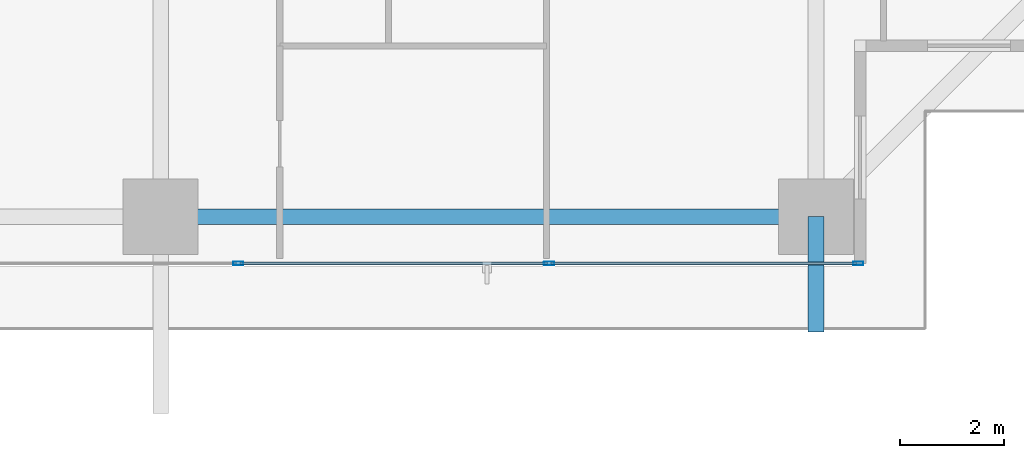
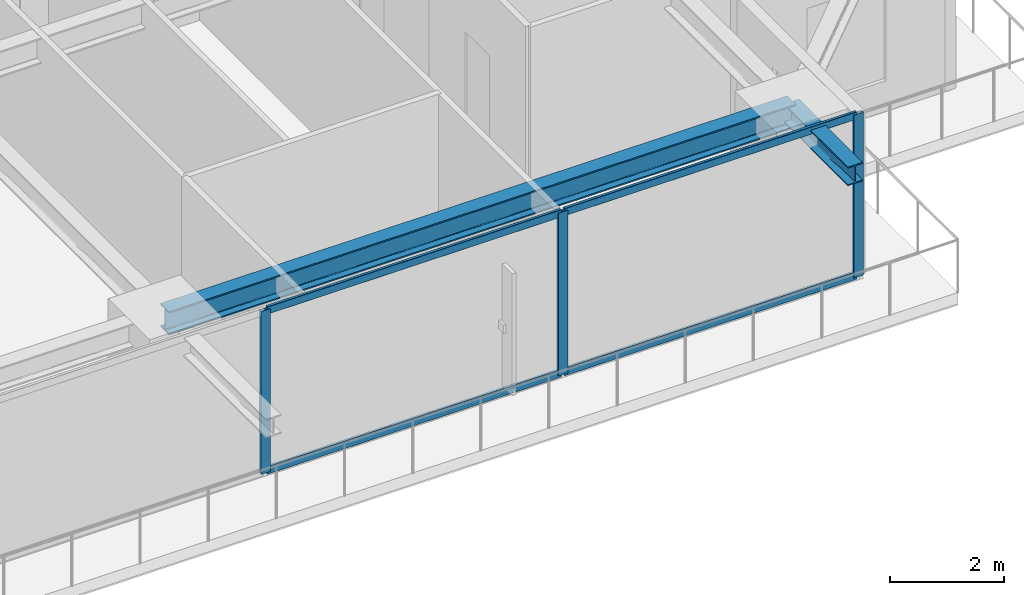
# One storey, part 10 of 36: 7 members, 2 beams, 1 element without a shape of its own.
"""IFC4 building model written with IfcOpenShell, lengths in metres."""

from ifc_helpers import new_model, si_unit, direction, frame, origin, origin_2d, place, context, subcontext, project, spatial, hollow_rectangle, i_section, extrude, source, transform, mapped, material, layer, layer_set, material_profile, profile_set, type_object, element, aggregate, save


model = new_model("IFC4")

# Units and contexts
model_context = context("Model", 3, precision=1e-05, world=origin(), true_north=direction((0.0, 1.0)))
body_context = subcontext(model_context, "Body", "Model", "MODEL_VIEW")
ifc_project = project(units=[si_unit("LENGTHUNIT", "METRE"), si_unit("AREAUNIT", "SQUARE_METRE"), si_unit("VOLUMEUNIT", "CUBIC_METRE"), si_unit("PLANEANGLEUNIT", "RADIAN"), si_unit("MASSUNIT", "GRAM", prefix="KILO")], contexts=[model_context])

# Site, building, storey
site_placement = place(None, origin())
site = spatial("IfcSite", under=ifc_project, at=site_placement, CompositionType="ELEMENT")
building_placement = place(site_placement, origin())
building = spatial("IfcBuilding", under=site, at=building_placement, Name="Serunith Strait Residences", CompositionType="ELEMENT")
storey_placement = place(building_placement, frame((0.0, 0.0, 41.699951171875)))
storey = spatial("IfcBuildingStorey", under=building, at=storey_placement, Name="L09", CompositionType="ELEMENT", Elevation=41.699951171875)

# Beams
ifc_material_1 = material(Name="Steel S355J2", Category="steel")
ifc_material_profile_1 = material_profile(ifc_material_1, i_section(OverallWidth=0.300048828125, OverallDepth=0.5, WebThickness=0.014404296875, FlangeThickness=0.028076171875, FilletRadius=0.027099609375, at=origin_2d()), Name="HEB 500")
ifc_profile_set_1 = profile_set([ifc_material_profile_1], Name="Steel S355J2")
beam_type_1 = type_object("IfcBeamType", Name="BM-HEB500", PredefinedType="BEAM", material=ifc_profile_set_1)
shared_shape_1 = source(origin(), body_context, "Body", "SweptSolid", [
    extrude(i_section(OverallWidth=0.300048828125, OverallDepth=0.5, WebThickness=0.014404296875, FlangeThickness=0.028076171875, FilletRadius=0.027099609375, at=origin_2d()), origin(), (0.0, 0.0, 1.0), 12.650146484375),
])
beam_1_placement = place(storey_placement, frame((36.89990234375, 1.10009765625, 3.237060546875), z_axis=(1.0, 0.0, 0.0), x_axis=(0.0, 1.0, 0.0)))
element("IfcBeam", 1, at=beam_1_placement, inside=storey, type_object=beam_type_1, Name="L09 Perimeter Ring Beam 03", PredefinedType="BEAM", context=body_context, shape_type="MappedRepresentation", body=[
    mapped(shared_shape_1, transform((0.0, 0.0, 0.0), scale=1.0)),
])
ifc_material_profile_2 = material_profile(ifc_material_1, i_section(OverallWidth=0.300048828125, OverallDepth=0.39990234375, WebThickness=0.013427734375, FlangeThickness=0.02392578125, FilletRadius=0.027099609375, at=origin_2d()), Name="HEB 400")
ifc_profile_set_2 = profile_set([ifc_material_profile_2], Name="Steel S355J2")
beam_type_2 = type_object("IfcBeamType", Name="BM-HEB400", PredefinedType="BEAM", material=ifc_profile_set_2)
shared_shape_2 = source(origin(), body_context, "Body", "SweptSolid", [
    extrude(i_section(OverallWidth=0.300048828125, OverallDepth=0.39990234375, WebThickness=0.013427734375, FlangeThickness=0.02392578125, FilletRadius=0.027099609375, at=origin_2d()), origin(), (0.0, 0.0, 1.0), 2.22705078125),
])
beam_2_placement = place(storey_placement, frame((49.550048828125, 1.10009765625, 3.257080078125), z_axis=(0.0, -1.0, 0.0), x_axis=(1.0, 0.0, 0.0)))
element("IfcBeam", 2, at=beam_2_placement, inside=storey, type_object=beam_type_2, Name="L10 Cantilevered Balcony Rib TC-S4", PredefinedType="BEAM", context=body_context, shape_type="MappedRepresentation", body=[
    mapped(shared_shape_2, transform((0.0, 0.0, 0.0), scale=1.0)),
])

# Curtain wall, members
ifc_material_2 = material(Name="Pale-Champagne Anodised Aluminium", Category="aluminium")
ifc_layer = layer(ifc_material_2, 0.199951171875, Name="Pale-Champagne Anodised Aluminium")
ifc_layer_set = layer_set([ifc_layer], Name="Pale-Champagne Anodised Aluminium")
curtain_wall_type = type_object("IfcCurtainWallType", Name="CW-SYS1", PredefinedType="NOTDEFINED", material=ifc_layer_set)
curtain_wall_placement = place(storey_placement, origin())
curtain_wall = element("IfcCurtainWall", 3, at=curtain_wall_placement, inside=storey, type_object=curtain_wall_type, Name="L09 S Unitised Fritted Curtain Wall", PredefinedType="NOTDEFINED")
ifc_material_profile_3 = material_profile(ifc_material_2, hollow_rectangle(XDim=0.070068359375, YDim=0.199951171875, WallThickness=0.00390625, InnerFilletRadius=0.006103515625, OuterFilletRadius=0.010009765625, at=origin_2d()), Name="ALU 200x70x4")
ifc_profile_set_3 = profile_set([ifc_material_profile_3], Name="Pale-Champagne Anodised Aluminium")
member_type_1 = type_object("IfcMemberType", Name="CW-SYS1-MULL", PredefinedType="MULLION", material=ifc_profile_set_3)
shared_shape_3 = source(origin(), body_context, "Body", "SweptSolid", [
    extrude(hollow_rectangle(XDim=0.070068359375, YDim=0.199951171875, WallThickness=0.00390625, InnerFilletRadius=0.006103515625, OuterFilletRadius=0.010009765625, at=origin_2d()), origin(), (0.0, 0.0, 1.0), 3.47509765625),
])
member_1_placement = place(storey_placement, frame((38.39990234375, 0.199951171875, 0.0), z_axis=(0.0, 0.0, 1.0), x_axis=(0.0, 1.0, 0.0)))
member_1 = element("IfcMember", 4, at=member_1_placement, type_object=member_type_1, Name="CW-1 mullion 5", PredefinedType="MULLION", context=body_context, shape_type="MappedRepresentation", body=[
    mapped(shared_shape_3, transform((0.0, 0.0, 0.0), scale=1.0)),
])
member_2_placement = place(storey_placement, frame((44.39990234375, 0.199951171875, 0.0), z_axis=(0.0, 0.0, 1.0), x_axis=(0.0, 1.0, 0.0)))
member_2 = element("IfcMember", 5, at=member_2_placement, type_object=member_type_1, Name="CW-1 mullion 6", PredefinedType="MULLION", context=body_context, shape_type="MappedRepresentation", body=[
    mapped(shared_shape_3, transform((0.0, 0.0, 0.0), scale=1.0)),
])
member_3_placement = place(storey_placement, frame((50.364990234375, 0.199951171875, 0.0), z_axis=(0.0, 0.0, 1.0), x_axis=(0.0, 1.0, 0.0)))
member_3 = element("IfcMember", 6, at=member_3_placement, type_object=member_type_1, Name="CW-1 mullion 7", PredefinedType="MULLION", context=body_context, shape_type="MappedRepresentation", body=[
    mapped(shared_shape_3, transform((0.0, 0.0, 0.0), scale=1.0)),
])
ifc_material_profile_4 = material_profile(ifc_material_2, hollow_rectangle(XDim=0.06005859375, YDim=0.159912109375, WallThickness=0.00341796875, InnerFilletRadius=0.00537109375, OuterFilletRadius=0.0087890625, at=origin_2d()), Name="ALU 160x60x3.5")
ifc_profile_set_4 = profile_set([ifc_material_profile_4], Name="Pale-Champagne Anodised Aluminium")
member_type_2 = type_object("IfcMemberType", Name="CW-SYS1-TRAN", PredefinedType="USERDEFINED", material=ifc_profile_set_4)
shared_shape_4 = source(origin(), body_context, "Body", "SweptSolid", [
    extrude(hollow_rectangle(XDim=0.06005859375, YDim=0.159912109375, WallThickness=0.00341796875, InnerFilletRadius=0.00537109375, OuterFilletRadius=0.0087890625, at=origin_2d()), origin(), (0.0, 0.0, 1.0), 5.89501953125),
])
member_4_placement = place(storey_placement, frame((44.43505859375, 0.199951171875, 0.030029296875), z_axis=(1.0, 0.0, 0.0), x_axis=(0.0, 1.0, 0.0)))
member_4 = element("IfcMember", 7, at=member_4_placement, type_object=member_type_2, Name="CW-1 transom 6.1", ObjectType="TRANSOM", PredefinedType="USERDEFINED", context=body_context, shape_type="MappedRepresentation", body=[
    mapped(shared_shape_4, transform((0.0, 0.0, 0.0), scale=1.0)),
])
member_5_placement = place(storey_placement, frame((44.43505859375, 0.199951171875, 3.445068359375), z_axis=(1.0, 0.0, 0.0), x_axis=(0.0, 1.0, 0.0)))
member_5 = element("IfcMember", 8, at=member_5_placement, type_object=member_type_2, Name="CW-1 transom 6.2", ObjectType="TRANSOM", PredefinedType="USERDEFINED", context=body_context, shape_type="MappedRepresentation", body=[
    mapped(shared_shape_4, transform((0.0, 0.0, 0.0), scale=1.0)),
])
shared_shape_5 = source(origin(), body_context, "Body", "SweptSolid", [
    extrude(hollow_rectangle(XDim=0.06005859375, YDim=0.159912109375, WallThickness=0.00341796875, InnerFilletRadius=0.00537109375, OuterFilletRadius=0.0087890625, at=origin_2d()), origin(), (0.0, 0.0, 1.0), 5.929931640625),
])
member_6_placement = place(storey_placement, frame((38.43505859375, 0.199951171875, 0.030029296875), z_axis=(1.0, 0.0, 0.0), x_axis=(0.0, 1.0, 0.0)))
member_6 = element("IfcMember", 9, at=member_6_placement, type_object=member_type_2, Name="CW-1 transom 5.1", ObjectType="TRANSOM", PredefinedType="USERDEFINED", context=body_context, shape_type="MappedRepresentation", body=[
    mapped(shared_shape_5, transform((0.0, 0.0, 0.0), scale=1.0)),
])
member_7_placement = place(storey_placement, frame((38.43505859375, 0.199951171875, 3.445068359375), z_axis=(1.0, 0.0, 0.0), x_axis=(0.0, 1.0, 0.0)))
member_7 = element("IfcMember", 10, at=member_7_placement, type_object=member_type_2, Name="CW-1 transom 5.2", ObjectType="TRANSOM", PredefinedType="USERDEFINED", context=body_context, shape_type="MappedRepresentation", body=[
    mapped(shared_shape_5, transform((0.0, 0.0, 0.0), scale=1.0)),
])
aggregate(curtain_wall, [member_1, member_2, member_3, member_6, member_7, member_4, member_5])

save(model, "model.ifc")
